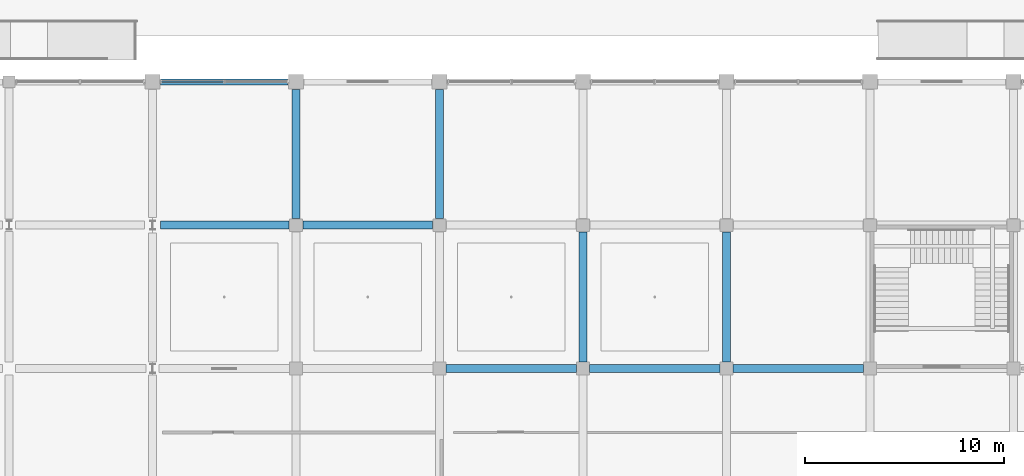
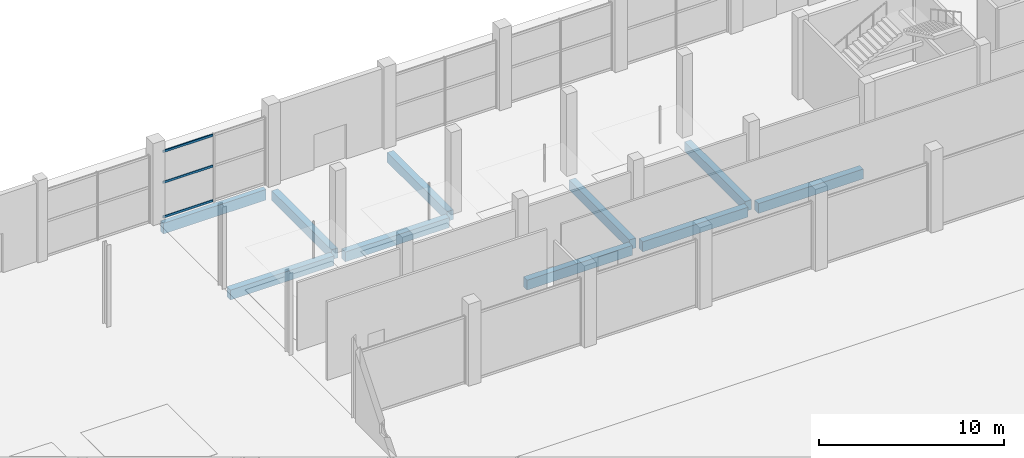
# One storey, part 33 of 90: 10 beams, 3 members, 1 element without a shape of its own.
"""IFC4 building model written with IfcOpenShell, lengths in metres."""

from ifc_helpers import new_model, si_unit, direction, frame, origin, origin_2d, place, context, subcontext, project, spatial, rectangle, hollow_rectangle, extrude, material, layer, layer_set, material_profile, profile_set, type_object, element, aggregate, save


model = new_model("IFC4")

# Units and contexts
model_context = context("Model", 3, precision=1e-05, world=origin(), true_north=direction((0.0, 1.0)))
body_context = subcontext(model_context, "Body", "Model", "MODEL_VIEW")
ifc_project = project(units=[si_unit("LENGTHUNIT", "METRE"), si_unit("AREAUNIT", "SQUARE_METRE"), si_unit("VOLUMEUNIT", "CUBIC_METRE"), si_unit("PLANEANGLEUNIT", "RADIAN"), si_unit("MASSUNIT", "GRAM", prefix="KILO")], contexts=[model_context])

# Site, building, storey
site_placement = place(None, origin())
site = spatial("IfcSite", under=ifc_project, at=site_placement, CompositionType="ELEMENT")
building_placement = place(site_placement, origin())
building = spatial("IfcBuilding", under=site, at=building_placement, Name="Kangsadwip Square Police Headquarters", CompositionType="ELEMENT")
storey_placement = place(building_placement, origin())
storey = spatial("IfcBuildingStorey", under=building, at=storey_placement, Name="L00", CompositionType="ELEMENT", Elevation=0.0)

# Curtain wall, members
ifc_material_1 = material(Name="Thermally broken anodised aluminium AW-6063-T6", Category="aluminium")
ifc_layer = layer(ifc_material_1, 0.159912109375)
ifc_layer_set = layer_set([ifc_layer], Name="Thermally broken anodised aluminium AW-6063-T6")
curtain_wall_type = type_object("IfcCurtainWallType", Name="UnitisedCw6460x4450", PredefinedType="NOTDEFINED", material=ifc_layer_set)
curtain_wall_placement = place(storey_placement, origin())
curtain_wall = element("IfcCurtainWall", 1, at=curtain_wall_placement, inside=storey, type_object=curtain_wall_type, Name="Curtain Wall CW-L00-0940-1152", PredefinedType="NOTDEFINED")
ifc_material_2 = material(Name="Thermally broken anodised aluminium AW-6063-T6", Category="aluminium")
ifc_material_profile_1 = material_profile(ifc_material_2, hollow_rectangle(XDim=0.074951171875, YDim=0.139892578125, WallThickness=0.0048828125, at=origin_2d()), Name="CWT 140X75X5")
ifc_profile_set_1 = profile_set([ifc_material_profile_1], Name="Thermally broken anodised aluminium AW-6063-T6")
member_type = type_object("IfcMemberType", Name="CwTransom160x65", PredefinedType="USERDEFINED", material=ifc_profile_set_1)
member_1_placement = place(storey_placement, frame((94.044921875, 115.199951171875, 0.070068359375), z_axis=(1.0, 0.0, 0.0), x_axis=(0.0, 1.0, 0.0)))
member_1 = element("IfcMember", 2, at=member_1_placement, type_object=member_type, Name="CW-10 transom 1.1", ObjectType="TRANSOM", PredefinedType="USERDEFINED", context=body_context, shape_type="SweptSolid", body=[
    extrude(hollow_rectangle(XDim=0.074951171875, YDim=0.139892578125, WallThickness=0.0048828125, at=origin_2d()), origin(), (0.0, 0.0, 1.0), 3.11767578125),
])
member_2_placement = place(storey_placement, frame((94.044921875, 115.199951171875, 2.35009765625), z_axis=(1.0, 0.0, 0.0), x_axis=(0.0, 1.0, 0.0)))
member_2 = element("IfcMember", 3, at=member_2_placement, type_object=member_type, Name="CW-10 transom 1.2", ObjectType="TRANSOM", PredefinedType="USERDEFINED", context=body_context, shape_type="SweptSolid", body=[
    extrude(hollow_rectangle(XDim=0.074951171875, YDim=0.139892578125, WallThickness=0.0048828125, at=origin_2d()), origin(), (0.0, 0.0, 1.0), 3.11767578125),
])
member_3_placement = place(storey_placement, frame((94.044921875, 115.199951171875, 4.3798828125), z_axis=(1.0, 0.0, 0.0), x_axis=(0.0, 1.0, 0.0)))
member_3 = element("IfcMember", 4, at=member_3_placement, type_object=member_type, Name="CW-10 transom 1.3", ObjectType="TRANSOM", PredefinedType="USERDEFINED", context=body_context, shape_type="SweptSolid", body=[
    extrude(hollow_rectangle(XDim=0.074951171875, YDim=0.139892578125, WallThickness=0.0048828125, at=origin_2d()), origin(), (0.0, 0.0, 1.0), 3.11767578125),
])
aggregate(curtain_wall, [member_1, member_2, member_3])

# Beams
ifc_material_3 = material(Name="Concrete M35 (35 MPa)", Category="concrete")
ifc_material_profile_2 = material_profile(ifc_material_3, rectangle(XDim=0.39990234375, YDim=0.64990234375, at=origin_2d()), Name="RC BM 650X400")
ifc_profile_set_2 = profile_set([ifc_material_profile_2], Name="Concrete M35 (35 MPa)")
beam_type_1 = type_object("IfcBeamType", Name="RcBeam650x400", PredefinedType="BEAM", material=ifc_profile_set_2)
for number, where, z_axis, x_axis, name in (
    (5, (108.324951171875, 100.800048828125, -0.574951171875), (1.0, 0.0, 0.0), (0.0, 1.0, 0.0), "Beam BM-L00-X-15-14"),
    (6, (115.52490234375, 100.800048828125, -0.574951171875), (1.0, 0.0, 0.0), (0.0, 1.0, 0.0), "Beam BM-L00-X-16-14"),
):
    element("IfcBeam", number, at=place(storey_placement, frame(where, z_axis=z_axis, x_axis=x_axis)), inside=storey, type_object=beam_type_1, Name=name, PredefinedType="BEAM", context=body_context, shape_type="SweptSolid", body=[
        extrude(rectangle(XDim=0.39990234375, YDim=0.64990234375, at=origin_2d()), origin(), (0.0, 0.0, 1.0), 6.550048828125),
    ])
beam_1_placement = place(storey_placement, frame((122.72509765625, 100.800048828125, -0.574951171875), z_axis=(1.0, 0.0, 0.0), x_axis=(0.0, 1.0, 0.0)))
element("IfcBeam", 7, at=beam_1_placement, inside=storey, type_object=beam_type_1, Name="Beam BM-L00-X-17-14", PredefinedType="BEAM", context=body_context, shape_type="SweptSolid", body=[
    extrude(rectangle(XDim=0.39990234375, YDim=0.64990234375, at=origin_2d()), origin(), (0.0, 0.0, 1.0), 6.5498046875),
])
beam_2_placement = place(storey_placement, frame((94.0, 108.0, -0.574951171875), z_axis=(1.0, 0.0, 0.0), x_axis=(0.0, 1.0, 0.0)))
element("IfcBeam", 8, at=beam_2_placement, inside=storey, type_object=beam_type_1, Name="Beam BM-L00-X-13-15", PredefinedType="BEAM", context=body_context, shape_type="SweptSolid", body=[
    extrude(rectangle(XDim=0.39990234375, YDim=0.64990234375, at=origin_2d()), origin(), (0.0, 0.0, 1.0), 6.449951171875),
])
beam_3_placement = place(storey_placement, frame((101.14990234375, 108.0, -0.574951171875), z_axis=(1.0, 0.0, 0.0), x_axis=(0.0, 1.0, 0.0)))
element("IfcBeam", 9, at=beam_3_placement, inside=storey, type_object=beam_type_1, Name="Beam BM-L00-X-14-15", PredefinedType="BEAM", context=body_context, shape_type="SweptSolid", body=[
    extrude(rectangle(XDim=0.39990234375, YDim=0.64990234375, at=origin_2d()), origin(), (0.0, 0.0, 1.0), 6.5),
])
for number, where, z_axis, x_axis, name in (
    (10, (100.800048828125, 108.35009765625, -0.574951171875), (0.0, 1.0, 0.0), (-1.0, 0.0, 0.0), "Beam BM-L00-Y-14-15"),
    (11, (108.0, 108.35009765625, -0.574951171875), (0.0, 1.0, 0.0), (-1.0, 0.0, 0.0), "Beam BM-L00-Y-15-15"),
):
    element("IfcBeam", number, at=place(storey_placement, frame(where, z_axis=z_axis, x_axis=x_axis)), inside=storey, type_object=beam_type_1, Name=name, PredefinedType="BEAM", context=body_context, shape_type="SweptSolid", body=[
        extrude(rectangle(XDim=0.39990234375, YDim=0.64990234375, at=origin_2d()), origin(), (0.0, 0.0, 1.0), 6.449951171875),
    ])
for number, where, z_axis, x_axis, name in (
    (12, (115.199951171875, 101.125, -0.574951171875), (0.0, 1.0, 0.0), (-1.0, 0.0, 0.0), "Beam BM-L00-Y-16-14"),
    (13, (122.39990234375, 101.125, -0.574951171875), (0.0, 1.0, 0.0), (-1.0, 0.0, 0.0), "Beam BM-L00-Y-17-14"),
):
    element("IfcBeam", number, at=place(storey_placement, frame(where, z_axis=z_axis, x_axis=x_axis)), inside=storey, type_object=beam_type_1, Name=name, PredefinedType="BEAM", context=body_context, shape_type="SweptSolid", body=[
        extrude(rectangle(XDim=0.39990234375, YDim=0.64990234375, at=origin_2d()), origin(), (0.0, 0.0, 1.0), 6.52490234375),
    ])
ifc_material_4 = material(Name="Concrete M40 (40 MPa)", Category="concrete")
ifc_material_profile_3 = material_profile(ifc_material_4, rectangle(XDim=0.300048828125, YDim=0.699951171875, at=origin_2d()), Name="RC SPN 700X300")
ifc_profile_set_3 = profile_set([ifc_material_profile_3], Name="Concrete M40 (40 MPa)")
beam_type_2 = type_object("IfcBeamType", Name="RcSpandrel700x300", PredefinedType="SPANDREL", material=ifc_profile_set_3)
beam_4_placement = place(storey_placement, frame((94.0, 115.199951171875, -0.60009765625), z_axis=(1.0, 0.0, 0.0), x_axis=(0.0, 1.0, 0.0)))
element("IfcBeam", 14, at=beam_4_placement, inside=storey, type_object=beam_type_2, Name="Beam BM-L00-X-13-16", PredefinedType="SPANDREL", context=body_context, shape_type="SweptSolid", body=[
    extrude(rectangle(XDim=0.300048828125, YDim=0.699951171875, at=origin_2d()), origin(), (0.0, 0.0, 1.0), 6.39990234375),
])

save(model, "model.ifc")
